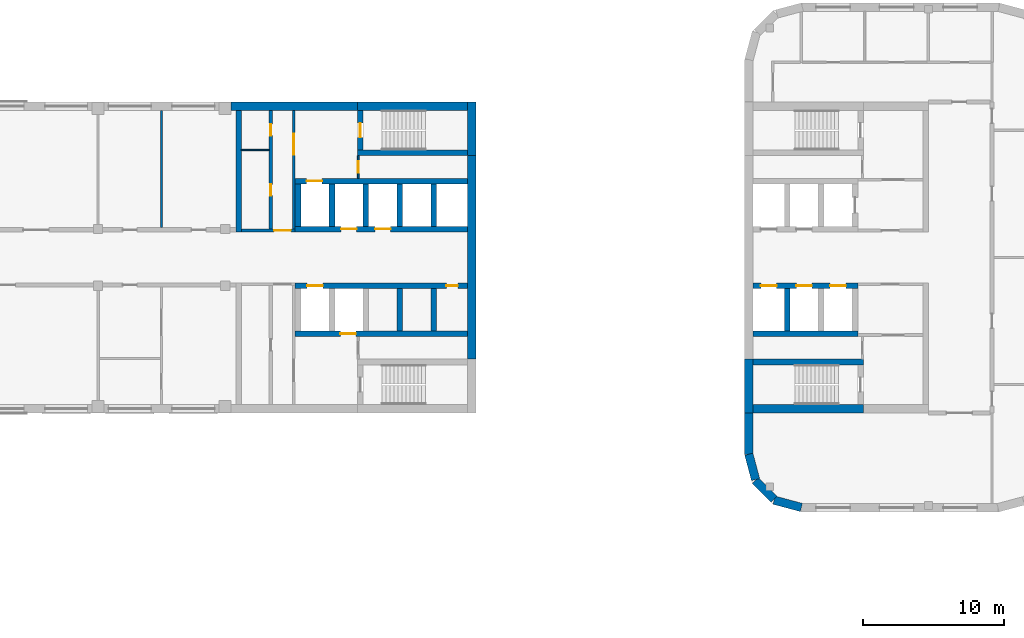
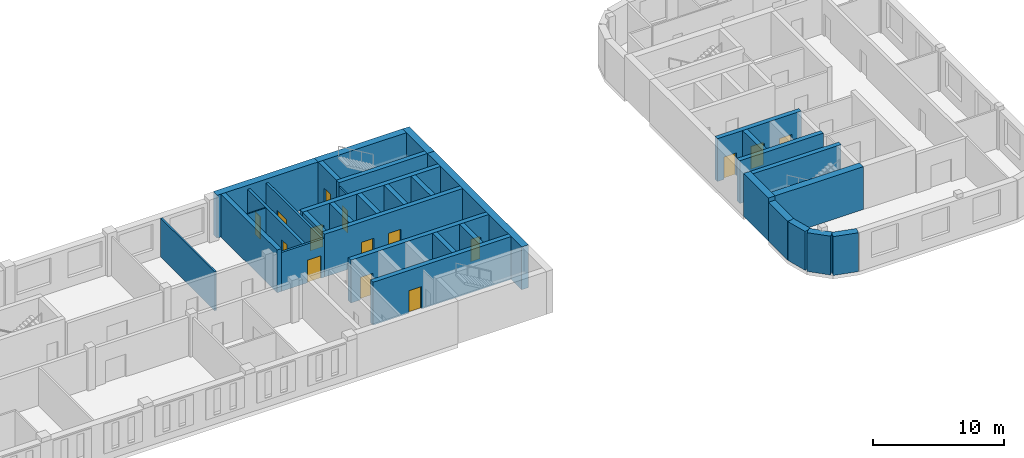
# One storey, part 6 of 10: 34 walls, 15 doors, 15 openings.
"""IFC4 building model written with IfcOpenShell, lengths in metres."""

from ifc_helpers import new_model, si_unit, direction, frame, frame_2d, origin, place, context, subcontext, project, spatial, rectangle, extrude, material, layer, layer_set, type_object, element, fill, save


model = new_model("IFC4")

# Units and contexts
model_context = context("Model", 3, precision=1e-05, world=origin(), true_north=direction((0.0, 1.0)))
body_context = subcontext(model_context, "Body", "Model", "MODEL_VIEW")
ifc_project = project(units=[si_unit("LENGTHUNIT", "METRE"), si_unit("AREAUNIT", "SQUARE_METRE"), si_unit("VOLUMEUNIT", "CUBIC_METRE"), si_unit("PLANEANGLEUNIT", "RADIAN"), si_unit("MASSUNIT", "GRAM", prefix="KILO")], contexts=[model_context])

# Site, building, storey
site_placement = place(None, origin())
site = spatial("IfcSite", under=ifc_project, at=site_placement, CompositionType="ELEMENT")
building_placement = place(site_placement, origin())
building = spatial("IfcBuilding", under=site, at=building_placement, Name="Skarvind Civic Tower", CompositionType="ELEMENT")
storey_placement = place(building_placement, frame((0.0, 0.0, 97.0)))
storey = spatial("IfcBuildingStorey", under=building, at=storey_placement, Name="L22", CompositionType="ELEMENT", Elevation=97.0)

# Wall, opening, door
ifc_material_1 = material(Name="Fire-rated masonry partition", Category="masonry")
ifc_layer_1 = layer(ifc_material_1, 0.199951171875)
ifc_layer_set_1 = layer_set([ifc_layer_1], Name="Core enclosure wall 200")
wall_type_1 = type_object("IfcWallType", Name="Core enclosure wall 200", PredefinedType="PARTITIONING", material=ifc_layer_set_1)
wall_1_placement = place(storey_placement, frame((91.39990234375, 129.89990234375, 0.0), z_axis=(0.0, 0.0, 1.0), x_axis=(1.0, 0.0, 0.0)))
wall_1 = element("IfcWall", 1, at=wall_1_placement, inside=storey, type_object=wall_type_1, Name="Core wall C1", PredefinedType="PARTITIONING", context=body_context, shape_type="SweptSolid", body=[
    extrude(rectangle(XDim=3.800048828125, YDim=0.199951171875, at=frame_2d((1.89990234375, 0.0))), origin(), (0.0, 0.0, 1.0), 3.625),
])
opening_1_placement = place(wall_1_placement, frame((2.300048828125, 0.0, 0.0)))
opening_1 = element("IfcOpeningElement", 2, at=opening_1_placement, cuts=wall_1, Name="Opening D-L22-C1-10", PredefinedType="OPENING", context=body_context, shape_type="SweptSolid", body=[
    extrude(rectangle(XDim=1.199951171875, YDim=2.10009765625, at=frame_2d((0.60009765625, 1.050048828125))), frame((0.0, 0.10986328125, 0.0), z_axis=(0.0, -1.0, 0.0), x_axis=(1.0, 0.0, 0.0)), (0.0, 0.0, 1.0), 0.219970703125),
])
ifc_material_2 = material(Name="Fire-rated steel door", Category="steel")
door_type_1 = type_object("IfcDoorType", Name="Core lobby door 1200", OperationType="NOTDEFINED", PredefinedType="DOOR", material=ifc_material_2)
door_1_placement = place(opening_1_placement, origin())
door_1 = element("IfcDoor", 3, at=door_1_placement, inside=storey, type_object=door_type_1, Name="Fire door", OperationType="DOUBLE_DOOR_SINGLE_SWING", OverallHeight=2.10009765625, OverallWidth=1.199951171875, PredefinedType="DOOR", context=body_context, shape_type="SweptSolid", body=[
    extrude(rectangle(XDim=1.199951171875, YDim=2.10009765625, at=frame_2d((0.60009765625, 1.050048828125))), frame((0.0, 0.02490234375, 0.0), z_axis=(0.0, -1.0, 0.0), x_axis=(1.0, 0.0, 0.0)), (0.0, 0.0, 1.0), 0.050048828125),
])
fill(opening_1, door_1)

wall_2_placement = place(storey_placement, frame((95.10009765625, 130.0, 0.0), z_axis=(0.0, 0.0, 1.0), x_axis=(0.0, 1.0, 0.0)))
wall_2 = element("IfcWall", 4, at=wall_2_placement, inside=storey, type_object=wall_type_1, Name="Core wall C1", PredefinedType="PARTITIONING", context=body_context, shape_type="SweptSolid", body=[
    extrude(rectangle(XDim=8.39990234375, YDim=0.199951171875, at=frame_2d((4.199951171875, 0.0))), origin(), (0.0, 0.0, 1.0), 3.625),
])
opening_2_placement = place(wall_2_placement, frame((5.25, 0.0, 0.0)))
opening_2 = element("IfcOpeningElement", 5, at=opening_2_placement, cuts=wall_2, Name="Opening D-L22-C1-11", PredefinedType="OPENING", context=body_context, shape_type="SweptSolid", body=[
    extrude(rectangle(XDim=1.5, YDim=2.10009765625, at=frame_2d((0.75, 1.050048828125))), frame((0.0, 0.10986328125, 0.0), z_axis=(0.0, -1.0, 0.0), x_axis=(1.0, 0.0, 0.0)), (0.0, 0.0, 1.0), 0.219970703125),
])
door_type_2 = type_object("IfcDoorType", Name="Fire door 1500", OperationType="NOTDEFINED", PredefinedType="DOOR", material=ifc_material_2)
door_2_placement = place(opening_2_placement, origin())
door_2 = element("IfcDoor", 6, at=door_2_placement, inside=storey, type_object=door_type_2, Name="Fire door", OperationType="DOUBLE_DOOR_SINGLE_SWING", OverallHeight=2.10009765625, OverallWidth=1.5, PredefinedType="DOOR", context=body_context, shape_type="SweptSolid", body=[
    extrude(rectangle(XDim=1.5, YDim=2.10009765625, at=frame_2d((0.75, 1.050048828125))), frame((0.0, 0.02490234375, 0.0), z_axis=(0.0, -1.0, 0.0), x_axis=(1.0, 0.0, 0.0)), (0.0, 0.0, 1.0), 0.050048828125),
])
fill(opening_2, door_2)

# Walls
ifc_material_3 = material(Name="Fire-rated plasterboard partition")
ifc_layer_2 = layer(ifc_material_3, 0.10009765625)
ifc_layer_set_2 = layer_set([ifc_layer_2], Name="Core partition wall 100")
wall_type_2 = type_object("IfcWallType", Name="Core partition wall 100", PredefinedType="PARTITIONING", material=ifc_layer_set_2)
wall_3_placement = place(storey_placement, frame((91.39990234375, 135.60009765625, 0.0), z_axis=(0.0, 0.0, 1.0), x_axis=(1.0, 0.0, 0.0)))
element("IfcWall", 7, at=wall_3_placement, inside=storey, type_object=wall_type_2, Name="Core wall C1", PredefinedType="PARTITIONING", context=body_context, shape_type="SweptSolid", body=[
    extrude(rectangle(XDim=1.9501953125, YDim=0.10009765625, at=frame_2d((0.97509765625, 0.0))), origin(), (0.0, 0.0, 1.0), 3.625),
])
ifc_material_4 = material(Name="Concrete C80", Category="concrete")
ifc_layer_3 = layer(ifc_material_4, 0.39990234375)
ifc_layer_set_3 = layer_set([ifc_layer_3], Name="Core wall 400 C80")
wall_type_3 = type_object("IfcWallType", Name="Core wall 400 C80", PredefinedType="SHEAR", material=ifc_layer_set_3)
wall_4_placement = place(storey_placement, frame((107.39990234375, 135.39990234375, 0.0), z_axis=(0.0, 0.0, 1.0), x_axis=(-1.0, 0.0, 0.0)))
element("IfcWall", 8, at=wall_4_placement, inside=storey, type_object=wall_type_3, Name="Core wall C1 south stair inner L22", PredefinedType="SHEAR", context=body_context, shape_type="SweptSolid", body=[
    extrude(rectangle(XDim=7.7998046875, YDim=0.39990234375, at=frame_2d((3.89990234375, 0.0))), origin(), (0.0, 0.0, 1.0), 4.0),
])

# Wall, opening, door
wall_5_placement = place(storey_placement, frame((99.800048828125, 138.39990234375, 0.0), z_axis=(0.0, 0.0, 1.0), x_axis=(0.0, -1.0, 0.0)))
wall_5 = element("IfcWall", 9, at=wall_5_placement, inside=storey, type_object=wall_type_3, Name="Core wall C1 south stair end L22", PredefinedType="SHEAR", context=body_context, shape_type="SweptSolid", body=[
    extrude(rectangle(XDim=2.7998046875, YDim=0.39990234375, at=frame_2d((1.39990234375, 0.0))), origin(), (0.0, 0.0, 1.0), 4.0),
])
opening_3_placement = place(wall_5_placement, frame((0.89990234375, 0.0, 0.0)))
opening_3 = element("IfcOpeningElement", 10, at=opening_3_placement, cuts=wall_5, Name="Opening D-L22-C1-12", PredefinedType="OPENING", context=body_context, shape_type="SweptSolid", body=[
    extrude(rectangle(XDim=1.0, YDim=2.10009765625, at=frame_2d((0.5, 1.050048828125))), frame((0.0, 0.2099609375, 0.0), z_axis=(0.0, -1.0, 0.0), x_axis=(1.0, 0.0, 0.0)), (0.0, 0.0, 1.0), 0.419921875),
])
door_type_3 = type_object("IfcDoorType", Name="Fire door 1000", OperationType="NOTDEFINED", PredefinedType="DOOR", material=ifc_material_2)
door_3_placement = place(opening_3_placement, origin())
door_3 = element("IfcDoor", 11, at=door_3_placement, inside=storey, type_object=door_type_3, Name="Fire door", OperationType="SINGLE_SWING_RIGHT", OverallHeight=2.10009765625, OverallWidth=1.0, PredefinedType="DOOR", context=body_context, shape_type="SweptSolid", body=[
    extrude(rectangle(XDim=1.0, YDim=2.10009765625, at=frame_2d((0.5, 1.050048828125))), frame((0.0, 0.02490234375, 0.0), z_axis=(0.0, -1.0, 0.0), x_axis=(1.0, 0.0, 0.0)), (0.0, 0.0, 1.0), 0.050048828125),
])
fill(opening_3, door_3)

# Wall, openings, doors
wall_6_placement = place(storey_placement, frame((107.39990234375, 130.0, 0.0), z_axis=(0.0, 0.0, 1.0), x_axis=(-1.0, 0.0, 0.0)))
wall_6 = element("IfcWall", 12, at=wall_6_placement, inside=storey, type_object=wall_type_3, Name="Core wall C1 south lift row front L22", PredefinedType="SHEAR", context=body_context, shape_type="SweptSolid", body=[
    extrude(rectangle(XDim=12.199951171875, YDim=0.39990234375, at=frame_2d((6.10009765625, 0.0))), origin(), (0.0, 0.0, 1.0), 4.0),
])
opening_4_placement = place(wall_6_placement, frame((5.449951171875, 0.0, 0.0)))
opening_4 = element("IfcOpeningElement", 13, at=opening_4_placement, cuts=wall_6, Name="Opening LD24108", PredefinedType="OPENING", context=body_context, shape_type="SweptSolid", body=[
    extrude(rectangle(XDim=1.10009765625, YDim=2.10009765625, at=frame_2d((0.550048828125, 1.050048828125))), frame((0.0, 0.2099609375, 0.0), z_axis=(0.0, -1.0, 0.0), x_axis=(1.0, 0.0, 0.0)), (0.0, 0.0, 1.0), 0.419921875),
])
opening_5_placement = place(wall_6_placement, frame((7.85009765625, 0.0, 0.0)))
opening_5 = element("IfcOpeningElement", 14, at=opening_5_placement, cuts=wall_6, Name="Opening LD24109", PredefinedType="OPENING", context=body_context, shape_type="SweptSolid", body=[
    extrude(rectangle(XDim=1.10009765625, YDim=2.10009765625, at=frame_2d((0.550048828125, 1.050048828125))), frame((0.0, 0.2099609375, 0.0), z_axis=(0.0, -1.0, 0.0), x_axis=(1.0, 0.0, 0.0)), (0.0, 0.0, 1.0), 0.419921875),
])
ifc_material_5 = material(Name="Stainless steel landing door", Category="steel")
door_type_4 = type_object("IfcDoorType", Name="Lift landing door 1100", OperationType="DOUBLE_DOOR_SLIDING", PredefinedType="DOOR", material=ifc_material_5)
door_4_placement = place(opening_4_placement, origin())
door_4 = element("IfcDoor", 15, at=door_4_placement, inside=storey, type_object=door_type_4, Name="Lift landing door", OperationType="DOUBLE_DOOR_SLIDING", OverallHeight=2.10009765625, OverallWidth=1.10009765625, PredefinedType="DOOR", context=body_context, shape_type="SweptSolid", body=[
    extrude(rectangle(XDim=1.10009765625, YDim=2.10009765625, at=frame_2d((0.550048828125, 1.050048828125))), frame((0.0, 0.02490234375, 0.0), z_axis=(0.0, -1.0, 0.0), x_axis=(1.0, 0.0, 0.0)), (0.0, 0.0, 1.0), 0.050048828125),
])
fill(opening_4, door_4)
door_5_placement = place(opening_5_placement, origin())
door_5 = element("IfcDoor", 16, at=door_5_placement, inside=storey, type_object=door_type_4, Name="Lift landing door", OperationType="DOUBLE_DOOR_SLIDING", OverallHeight=2.10009765625, OverallWidth=1.10009765625, PredefinedType="DOOR", context=body_context, shape_type="SweptSolid", body=[
    extrude(rectangle(XDim=1.10009765625, YDim=2.10009765625, at=frame_2d((0.550048828125, 1.050048828125))), frame((0.0, 0.02490234375, 0.0), z_axis=(0.0, -1.0, 0.0), x_axis=(1.0, 0.0, 0.0)), (0.0, 0.0, 1.0), 0.050048828125),
])
fill(opening_5, door_5)

# Wall, opening, door
wall_7_placement = place(storey_placement, frame((107.39990234375, 133.39990234375, 0.0), z_axis=(0.0, 0.0, 1.0), x_axis=(-1.0, 0.0, 0.0)))
wall_7 = element("IfcWall", 17, at=wall_7_placement, inside=storey, type_object=wall_type_3, Name="Core wall C1 south lift row back L22", PredefinedType="SHEAR", context=body_context, shape_type="SweptSolid", body=[
    extrude(rectangle(XDim=12.199951171875, YDim=0.39990234375, at=frame_2d((6.10009765625, 0.0))), origin(), (0.0, 0.0, 1.0), 4.0),
])
opening_6_placement = place(wall_7_placement, frame((10.300048828125, 0.0, 0.0)))
opening_6 = element("IfcOpeningElement", 18, at=opening_6_placement, cuts=wall_7, Name="Opening LD24110", PredefinedType="OPENING", context=body_context, shape_type="SweptSolid", body=[
    extrude(rectangle(XDim=1.10009765625, YDim=2.10009765625, at=frame_2d((0.550048828125, 1.050048828125))), frame((0.0, 0.2099609375, 0.0), z_axis=(0.0, -1.0, 0.0), x_axis=(1.0, 0.0, 0.0)), (0.0, 0.0, 1.0), 0.419921875),
])
door_6_placement = place(opening_6_placement, origin())
door_6 = element("IfcDoor", 19, at=door_6_placement, inside=storey, type_object=door_type_4, Name="Lift landing door", OperationType="DOUBLE_DOOR_SLIDING", OverallHeight=2.10009765625, OverallWidth=1.10009765625, PredefinedType="DOOR", context=body_context, shape_type="SweptSolid", body=[
    extrude(rectangle(XDim=1.10009765625, YDim=2.10009765625, at=frame_2d((0.550048828125, 1.050048828125))), frame((0.0, 0.02490234375, 0.0), z_axis=(0.0, -1.0, 0.0), x_axis=(1.0, 0.0, 0.0)), (0.0, 0.0, 1.0), 0.050048828125),
])
fill(opening_6, door_6)

# Walls
for number, where, z_axis, x_axis, name in (
    (20, (105.0, 133.199951171875, 0.0), (0.0, 0.0, 1.0), (0.0, -1.0, 0.0), "Core wall C1 south lift row division 1 L22"),
    (21, (102.60009765625, 133.199951171875, 0.0), (0.0, 0.0, 1.0), (0.0, -1.0, 0.0), "Core wall C1 south lift row division 2 L22"),
    (22, (100.199951171875, 133.199951171875, 0.0), (0.0, 0.0, 1.0), (0.0, -1.0, 0.0), "Core wall C1 south lift row division 3 L22"),
    (23, (97.800048828125, 133.199951171875, 0.0), (0.0, 0.0, 1.0), (0.0, -1.0, 0.0), "Core wall C1 south lift row division 4 L22"),
    (24, (95.39990234375, 133.199951171875, 0.0), (0.0, 0.0, 1.0), (0.0, -1.0, 0.0), "Core wall C1 south lift row division 5 L22"),
):
    element("IfcWall", number, at=place(storey_placement, frame(where, z_axis=z_axis, x_axis=x_axis)), inside=storey, type_object=wall_type_3, Name=name, PredefinedType="SHEAR", context=body_context, shape_type="SweptSolid", body=[
        extrude(rectangle(XDim=3.0, YDim=0.39990234375, at=frame_2d((1.5, 0.0))), origin(), (0.0, 0.0, 1.0), 4.0),
    ])

# Wall, openings, doors
wall_8_placement = place(storey_placement, frame((107.39990234375, 126.0, 0.0), z_axis=(0.0, 0.0, 1.0), x_axis=(-1.0, 0.0, 0.0)))
wall_8 = element("IfcWall", 25, at=wall_8_placement, inside=storey, type_object=wall_type_3, Name="Core wall C1 north lift row front L22", PredefinedType="SHEAR", context=body_context, shape_type="SweptSolid", body=[
    extrude(rectangle(XDim=12.199951171875, YDim=0.39990234375, at=frame_2d((6.10009765625, 0.0))), origin(), (0.0, 0.0, 1.0), 4.0),
])
opening_7_placement = place(wall_8_placement, frame((10.25, 0.0, 0.0)))
opening_7 = element("IfcOpeningElement", 26, at=opening_7_placement, cuts=wall_8, Name="Opening LD24105", PredefinedType="OPENING", context=body_context, shape_type="SweptSolid", body=[
    extrude(rectangle(XDim=1.10009765625, YDim=2.10009765625, at=frame_2d((0.550048828125, 1.050048828125))), frame((0.0, 0.2099609375, 0.0), z_axis=(0.0, -1.0, 0.0), x_axis=(1.0, 0.0, 0.0)), (0.0, 0.0, 1.0), 0.419921875),
])
opening_8_placement = place(wall_8_placement, frame((0.699951171875, 0.0, 0.0)))
opening_8 = element("IfcOpeningElement", 27, at=opening_8_placement, cuts=wall_8, Name="Opening D-L22-C1-04", PredefinedType="OPENING", context=body_context, shape_type="SweptSolid", body=[
    extrude(rectangle(XDim=0.800048828125, YDim=2.10009765625, at=frame_2d((0.39990234375, 1.050048828125))), frame((0.0, 0.2099609375, 0.0), z_axis=(0.0, -1.0, 0.0), x_axis=(1.0, 0.0, 0.0)), (0.0, 0.0, 1.0), 0.419921875),
])
door_type_5 = type_object("IfcDoorType", Name="Core riser door 800", OperationType="NOTDEFINED", PredefinedType="DOOR", material=ifc_material_2)
door_7_placement = place(opening_8_placement, origin())
door_7 = element("IfcDoor", 28, at=door_7_placement, inside=storey, type_object=door_type_5, Name="Riser door", OperationType="SINGLE_SWING_LEFT", OverallHeight=2.10009765625, OverallWidth=0.800048828125, PredefinedType="DOOR", context=body_context, shape_type="SweptSolid", body=[
    extrude(rectangle(XDim=0.800048828125, YDim=2.10009765625, at=frame_2d((0.39990234375, 1.050048828125))), frame((0.0, 0.02490234375, 0.0), z_axis=(0.0, -1.0, 0.0), x_axis=(1.0, 0.0, 0.0)), (0.0, 0.0, 1.0), 0.050048828125),
])
fill(opening_8, door_7)
door_8_placement = place(opening_7_placement, origin())
door_8 = element("IfcDoor", 29, at=door_8_placement, inside=storey, type_object=door_type_4, Name="Lift landing door", OperationType="DOUBLE_DOOR_SLIDING", OverallHeight=2.10009765625, OverallWidth=1.10009765625, PredefinedType="DOOR", context=body_context, shape_type="SweptSolid", body=[
    extrude(rectangle(XDim=1.10009765625, YDim=2.10009765625, at=frame_2d((0.550048828125, 1.050048828125))), frame((0.0, 0.02490234375, 0.0), z_axis=(0.0, -1.0, 0.0), x_axis=(1.0, 0.0, 0.0)), (0.0, 0.0, 1.0), 0.050048828125),
])
fill(opening_7, door_8)

# Wall, opening, door
wall_9_placement = place(storey_placement, frame((107.39990234375, 122.60009765625, 0.0), z_axis=(0.0, 0.0, 1.0), x_axis=(-1.0, 0.0, 0.0)))
wall_9 = element("IfcWall", 30, at=wall_9_placement, inside=storey, type_object=wall_type_3, Name="Core wall C1 north lift row back L22", PredefinedType="SHEAR", context=body_context, shape_type="SweptSolid", body=[
    extrude(rectangle(XDim=12.199951171875, YDim=0.39990234375, at=frame_2d((6.10009765625, 0.0))), origin(), (0.0, 0.0, 1.0), 4.0),
])
opening_9_placement = place(wall_9_placement, frame((7.89990234375, 0.0, 0.0)))
opening_9 = element("IfcOpeningElement", 31, at=opening_9_placement, cuts=wall_9, Name="Opening LD24104", PredefinedType="OPENING", context=body_context, shape_type="SweptSolid", body=[
    extrude(rectangle(XDim=1.10009765625, YDim=2.10009765625, at=frame_2d((0.550048828125, 1.050048828125))), frame((0.0, 0.2099609375, 0.0), z_axis=(0.0, -1.0, 0.0), x_axis=(1.0, 0.0, 0.0)), (0.0, 0.0, 1.0), 0.419921875),
])
door_9_placement = place(opening_9_placement, origin())
door_9 = element("IfcDoor", 32, at=door_9_placement, inside=storey, type_object=door_type_4, Name="Lift landing door", OperationType="DOUBLE_DOOR_SLIDING", OverallHeight=2.10009765625, OverallWidth=1.10009765625, PredefinedType="DOOR", context=body_context, shape_type="SweptSolid", body=[
    extrude(rectangle(XDim=1.10009765625, YDim=2.10009765625, at=frame_2d((0.550048828125, 1.050048828125))), frame((0.0, 0.02490234375, 0.0), z_axis=(0.0, -1.0, 0.0), x_axis=(1.0, 0.0, 0.0)), (0.0, 0.0, 1.0), 0.050048828125),
])
fill(opening_9, door_9)

# Walls
for number, where, z_axis, x_axis, name in (
    (33, (105.0, 125.800048828125, 0.0), (0.0, 0.0, 1.0), (0.0, -1.0, 0.0), "Core wall C1 north lift row division 1 L22"),
    (34, (102.60009765625, 125.800048828125, 0.0), (0.0, 0.0, 1.0), (0.0, -1.0, 0.0), "Core wall C1 north lift row division 2 L22"),
):
    element("IfcWall", number, at=place(storey_placement, frame(where, z_axis=z_axis, x_axis=x_axis)), inside=storey, type_object=wall_type_3, Name=name, PredefinedType="SHEAR", context=body_context, shape_type="SweptSolid", body=[
        extrude(rectangle(XDim=3.0, YDim=0.39990234375, at=frame_2d((1.5, 0.0))), origin(), (0.0, 0.0, 1.0), 4.0),
    ])
wall_10_placement = place(storey_placement, frame((91.199951171875, 138.39990234375, 0.0), z_axis=(0.0, 0.0, 1.0), x_axis=(0.0, -1.0, 0.0)))
element("IfcWall", 35, at=wall_10_placement, inside=storey, type_object=wall_type_3, Name="Core wall C1 south inner face L22", PredefinedType="SHEAR", context=body_context, shape_type="SweptSolid", body=[
    extrude(rectangle(XDim=8.599853515625, YDim=0.39990234375, at=frame_2d((4.2998046875, 0.0))), origin(), (0.0, 0.0, 1.0), 4.0),
])
wall_11_placement = place(storey_placement, frame((127.60009765625, 120.60009765625, 0.0), z_axis=(0.0, 0.0, 1.0), x_axis=(1.0, 0.0, 0.0)))
element("IfcWall", 36, at=wall_11_placement, inside=storey, type_object=wall_type_3, Name="Core wall CA south stair inner L22", PredefinedType="SHEAR", context=body_context, shape_type="SweptSolid", body=[
    extrude(rectangle(XDim=7.7998046875, YDim=0.39990234375, at=frame_2d((3.89990234375, 0.0))), origin(), (0.0, 0.0, 1.0), 4.0),
])

# Wall, openings, doors
wall_12_placement = place(storey_placement, frame((127.60009765625, 126.0, 0.0), z_axis=(0.0, 0.0, 1.0), x_axis=(1.0, 0.0, 0.0)))
wall_12 = element("IfcWall", 37, at=wall_12_placement, inside=storey, type_object=wall_type_3, Name="Core wall CA south lift row front L22", PredefinedType="SHEAR", context=body_context, shape_type="SweptSolid", body=[
    extrude(rectangle(XDim=7.39990234375, YDim=0.39990234375, at=frame_2d((3.699951171875, 0.0))), origin(), (0.0, 0.0, 1.0), 4.0),
])
opening_10_placement = place(wall_12_placement, frame((0.550048828125, 0.0, 0.0)))
opening_10 = element("IfcOpeningElement", 38, at=opening_10_placement, cuts=wall_12, Name="Opening LD24304", PredefinedType="OPENING", context=body_context, shape_type="SweptSolid", body=[
    extrude(rectangle(XDim=1.10009765625, YDim=2.10009765625, at=frame_2d((0.550048828125, 1.050048828125))), frame((0.0, 0.2099609375, 0.0), z_axis=(0.0, -1.0, 0.0), x_axis=(1.0, 0.0, 0.0)), (0.0, 0.0, 1.0), 0.419921875),
])
opening_11_placement = place(wall_12_placement, frame((3.050048828125, 0.0, 0.0)))
opening_11 = element("IfcOpeningElement", 39, at=opening_11_placement, cuts=wall_12, Name="Opening LD24305", PredefinedType="OPENING", context=body_context, shape_type="SweptSolid", body=[
    extrude(rectangle(XDim=1.10009765625, YDim=2.10009765625, at=frame_2d((0.550048828125, 1.050048828125))), frame((0.0, 0.2099609375, 0.0), z_axis=(0.0, -1.0, 0.0), x_axis=(1.0, 0.0, 0.0)), (0.0, 0.0, 1.0), 0.419921875),
])
opening_12_placement = place(wall_12_placement, frame((5.449951171875, 0.0, 0.0)))
opening_12 = element("IfcOpeningElement", 40, at=opening_12_placement, cuts=wall_12, Name="Opening LD24306", PredefinedType="OPENING", context=body_context, shape_type="SweptSolid", body=[
    extrude(rectangle(XDim=1.10009765625, YDim=2.10009765625, at=frame_2d((0.550048828125, 1.050048828125))), frame((0.0, 0.2099609375, 0.0), z_axis=(0.0, -1.0, 0.0), x_axis=(1.0, 0.0, 0.0)), (0.0, 0.0, 1.0), 0.419921875),
])
door_10_placement = place(opening_10_placement, origin())
door_10 = element("IfcDoor", 41, at=door_10_placement, inside=storey, type_object=door_type_4, Name="Lift landing door", OperationType="DOUBLE_DOOR_SLIDING", OverallHeight=2.10009765625, OverallWidth=1.10009765625, PredefinedType="DOOR", context=body_context, shape_type="SweptSolid", body=[
    extrude(rectangle(XDim=1.10009765625, YDim=2.10009765625, at=frame_2d((0.550048828125, 1.050048828125))), frame((0.0, 0.02490234375, 0.0), z_axis=(0.0, -1.0, 0.0), x_axis=(1.0, 0.0, 0.0)), (0.0, 0.0, 1.0), 0.050048828125),
])
fill(opening_10, door_10)
door_11_placement = place(opening_11_placement, origin())
door_11 = element("IfcDoor", 42, at=door_11_placement, inside=storey, type_object=door_type_4, Name="Lift landing door", OperationType="DOUBLE_DOOR_SLIDING", OverallHeight=2.10009765625, OverallWidth=1.10009765625, PredefinedType="DOOR", context=body_context, shape_type="SweptSolid", body=[
    extrude(rectangle(XDim=1.10009765625, YDim=2.10009765625, at=frame_2d((0.550048828125, 1.050048828125))), frame((0.0, 0.02490234375, 0.0), z_axis=(0.0, -1.0, 0.0), x_axis=(1.0, 0.0, 0.0)), (0.0, 0.0, 1.0), 0.050048828125),
])
fill(opening_11, door_11)
door_12_placement = place(opening_12_placement, origin())
door_12 = element("IfcDoor", 43, at=door_12_placement, inside=storey, type_object=door_type_4, Name="Lift landing door", OperationType="DOUBLE_DOOR_SLIDING", OverallHeight=2.10009765625, OverallWidth=1.10009765625, PredefinedType="DOOR", context=body_context, shape_type="SweptSolid", body=[
    extrude(rectangle(XDim=1.10009765625, YDim=2.10009765625, at=frame_2d((0.550048828125, 1.050048828125))), frame((0.0, 0.02490234375, 0.0), z_axis=(0.0, -1.0, 0.0), x_axis=(1.0, 0.0, 0.0)), (0.0, 0.0, 1.0), 0.050048828125),
])
fill(opening_12, door_12)

# Walls
wall_13_placement = place(storey_placement, frame((127.60009765625, 122.60009765625, 0.0), z_axis=(0.0, 0.0, 1.0), x_axis=(1.0, 0.0, 0.0)))
element("IfcWall", 44, at=wall_13_placement, inside=storey, type_object=wall_type_3, Name="Core wall CA south lift row back L22", PredefinedType="SHEAR", context=body_context, shape_type="SweptSolid", body=[
    extrude(rectangle(XDim=7.39990234375, YDim=0.39990234375, at=frame_2d((3.699951171875, 0.0))), origin(), (0.0, 0.0, 1.0), 4.0),
])
wall_14_placement = place(storey_placement, frame((130.0, 122.800048828125, 0.0), z_axis=(0.0, 0.0, 1.0), x_axis=(0.0, 1.0, 0.0)))
element("IfcWall", 45, at=wall_14_placement, inside=storey, type_object=wall_type_3, Name="Core wall CA south lift row division 1 L22", PredefinedType="SHEAR", context=body_context, shape_type="SweptSolid", body=[
    extrude(rectangle(XDim=3.0, YDim=0.39990234375, at=frame_2d((1.5, 0.0))), origin(), (0.0, 0.0, 1.0), 4.0),
])
ifc_layer_4 = layer(ifc_material_4, 0.60009765625)
ifc_layer_set_4 = layer_set([ifc_layer_4], Name="Core wall 600 C80")
wall_type_4 = type_object("IfcWallType", Name="Core wall 600 C80", PredefinedType="SHEAR", material=ifc_layer_set_4)
wall_15_placement = place(storey_placement, frame((107.699951171875, 139.0, 0.0), z_axis=(0.0, 0.0, 1.0), x_axis=(0.0, -1.0, 0.0)))
element("IfcWall", 46, at=wall_15_placement, inside=storey, type_object=wall_type_4, Name="Core wall C1 tip at the south stair L22", PredefinedType="SHEAR", context=body_context, shape_type="SweptSolid", body=[
    extrude(rectangle(XDim=3.800048828125, YDim=0.60009765625, at=frame_2d((1.89990234375, 0.0))), origin(), (0.0, 0.0, 1.0), 4.0),
])
wall_16_placement = place(storey_placement, frame((107.699951171875, 135.199951171875, 0.0), z_axis=(0.0, 0.0, 1.0), x_axis=(0.0, -1.0, 0.0)))
element("IfcWall", 47, at=wall_16_placement, inside=storey, type_object=wall_type_4, Name="Core wall C1 tip between the stairs L22", PredefinedType="SHEAR", context=body_context, shape_type="SweptSolid", body=[
    extrude(rectangle(XDim=14.39990234375, YDim=0.60009765625, at=frame_2d((7.199951171875, 0.0))), origin(), (0.0, 0.0, 1.0), 4.0),
])
wall_17_placement = place(storey_placement, frame((107.39990234375, 138.699951171875, 0.0), z_axis=(0.0, 0.0, 1.0), x_axis=(-1.0, 0.0, 0.0)))
element("IfcWall", 48, at=wall_17_placement, inside=storey, type_object=wall_type_4, Name="Core wall C1 south side at the stair L22", PredefinedType="SHEAR", context=body_context, shape_type="SweptSolid", body=[
    extrude(rectangle(XDim=7.7998046875, YDim=0.60009765625, at=frame_2d((3.89990234375, 0.0))), origin(), (0.0, 0.0, 1.0), 4.0),
])
wall_18_placement = place(storey_placement, frame((99.60009765625, 138.699951171875, 0.0), z_axis=(0.0, 0.0, 1.0), x_axis=(-1.0, 0.0, 0.0)))
element("IfcWall", 49, at=wall_18_placement, inside=storey, type_object=wall_type_4, Name="Core wall C1 south side L22", PredefinedType="SHEAR", context=body_context, shape_type="SweptSolid", body=[
    extrude(rectangle(XDim=8.925048828125, YDim=0.60009765625, at=frame_2d((4.46240234375, 0.0))), origin(), (0.0, 0.0, 1.0), 4.0),
])
wall_19_placement = place(storey_placement, frame((127.300048828125, 117.0, 0.0), z_axis=(0.0, 0.0, 1.0), x_axis=(0.0, 1.0, 0.0)))
element("IfcWall", 50, at=wall_19_placement, inside=storey, type_object=wall_type_4, Name="Core wall CA tip at the south stair L22", PredefinedType="SHEAR", context=body_context, shape_type="SweptSolid", body=[
    extrude(rectangle(XDim=3.800048828125, YDim=0.60009765625, at=frame_2d((1.89990234375, 0.0))), origin(), (0.0, 0.0, 1.0), 4.0),
])
wall_20_placement = place(storey_placement, frame((127.60009765625, 117.300048828125, 0.0), z_axis=(0.0, 0.0, 1.0), x_axis=(1.0, 0.0, 0.0)))
element("IfcWall", 51, at=wall_20_placement, inside=storey, type_object=wall_type_4, Name="Core wall CA south side at the stair L22", PredefinedType="SHEAR", context=body_context, shape_type="SweptSolid", body=[
    extrude(rectangle(XDim=7.7998046875, YDim=0.60009765625, at=frame_2d((3.89990234375, 0.0))), origin(), (0.0, 0.0, 1.0), 4.0),
])
ifc_material_6 = material(Name="Plasterboard partition on steel studs", Category="steel")
ifc_layer_5 = layer(ifc_material_6, 0.14990234375)
ifc_layer_set_5 = layer_set([ifc_layer_5], Name="PARTITION 150")
wall_type_5 = type_object("IfcWallType", Name="PARTITION 150", PredefinedType="PARTITIONING", material=ifc_layer_set_5)
wall_21_placement = place(storey_placement, frame((85.75, 130.10009765625, 0.0), z_axis=(0.0, 0.0, 1.0), x_axis=(0.0, 1.0, 0.0)))
element("IfcWall", 52, at=wall_21_placement, inside=storey, type_object=wall_type_5, Name="Partition 22.034", PredefinedType="PARTITIONING", context=body_context, shape_type="SweptSolid", body=[
    extrude(rectangle(XDim=8.2998046875, YDim=0.14990234375, at=frame_2d((4.14990234375, 0.0))), origin(), (0.0, 0.0, 1.0), 3.625),
])

# Wall, opening, door
ifc_layer_6 = layer(ifc_material_1, 0.125)
ifc_layer_set_6 = layer_set([ifc_layer_6], Name="Riser wall 125")
wall_type_6 = type_object("IfcWallType", Name="Riser wall 125", PredefinedType="PARTITIONING", material=ifc_layer_set_6)
wall_22_placement = place(storey_placement, frame((99.66259765625, 133.60009765625, 0.0), z_axis=(0.0, 0.0, 1.0), x_axis=(0.0, 1.0, 0.0)))
wall_22 = element("IfcWall", 53, at=wall_22_placement, inside=storey, type_object=wall_type_6, Name="Core wall C1", PredefinedType="PARTITIONING", context=body_context, shape_type="SweptSolid", body=[
    extrude(rectangle(XDim=1.599853515625, YDim=0.125, at=frame_2d((0.7998046875, 0.0))), origin(), (0.0, 0.0, 1.0), 3.625),
])
opening_13_placement = place(wall_22_placement, frame((0.39990234375, 0.0, 0.0)))
opening_13 = element("IfcOpeningElement", 54, at=opening_13_placement, cuts=wall_22, Name="Opening D-L22-C1-13", PredefinedType="OPENING", context=body_context, shape_type="SweptSolid", body=[
    extrude(rectangle(XDim=0.800048828125, YDim=2.10009765625, at=frame_2d((0.39990234375, 1.050048828125))), frame((0.0, 0.072509765625, 0.0), z_axis=(0.0, -1.0, 0.0), x_axis=(1.0, 0.0, 0.0)), (0.0, 0.0, 1.0), 0.14501953125),
])
door_13_placement = place(opening_13_placement, origin())
door_13 = element("IfcDoor", 55, at=door_13_placement, inside=storey, type_object=door_type_5, Name="Riser door", OperationType="SINGLE_SWING_LEFT", OverallHeight=2.10009765625, OverallWidth=0.800048828125, PredefinedType="DOOR", context=body_context, shape_type="SweptSolid", body=[
    extrude(rectangle(XDim=0.800048828125, YDim=2.10009765625, at=frame_2d((0.39990234375, 1.050048828125))), frame((0.0, 0.02490234375, 0.0), z_axis=(0.0, -1.0, 0.0), x_axis=(1.0, 0.0, 0.0)), (0.0, 0.0, 1.0), 0.050048828125),
])
fill(opening_13, door_13)

# Wall, openings, doors
ifc_layer_7 = layer(ifc_material_1, 0.25)
ifc_layer_set_7 = layer_set([ifc_layer_7], Name="Service block wall 250")
wall_type_7 = type_object("IfcWallType", Name="Service block wall 250", PredefinedType="PARTITIONING", material=ifc_layer_set_7)
wall_23_placement = place(storey_placement, frame((93.47509765625, 130.0, 0.0), z_axis=(0.0, 0.0, 1.0), x_axis=(0.0, 1.0, 0.0)))
wall_23 = element("IfcWall", 56, at=wall_23_placement, inside=storey, type_object=wall_type_7, Name="Core wall C1", PredefinedType="PARTITIONING", context=body_context, shape_type="SweptSolid", body=[
    extrude(rectangle(XDim=8.39990234375, YDim=0.25, at=frame_2d((4.199951171875, 0.0))), origin(), (0.0, 0.0, 1.0), 3.625),
])
opening_14_placement = place(wall_23_placement, frame((2.375, 0.0, 0.0)))
opening_14 = element("IfcOpeningElement", 57, at=opening_14_placement, cuts=wall_23, Name="Opening D-L22-C1-14", PredefinedType="OPENING", context=body_context, shape_type="SweptSolid", body=[
    extrude(rectangle(XDim=0.800048828125, YDim=2.10009765625, at=frame_2d((0.39990234375, 1.050048828125))), frame((0.0, 0.135009765625, 0.0), z_axis=(0.0, -1.0, 0.0), x_axis=(1.0, 0.0, 0.0)), (0.0, 0.0, 1.0), 0.27001953125),
])
opening_15_placement = place(wall_23_placement, frame((6.625, 0.0, 0.0)))
opening_15 = element("IfcOpeningElement", 58, at=opening_15_placement, cuts=wall_23, Name="Opening D-L22-C1-15", PredefinedType="OPENING", context=body_context, shape_type="SweptSolid", body=[
    extrude(rectangle(XDim=0.800048828125, YDim=2.10009765625, at=frame_2d((0.39990234375, 1.050048828125))), frame((0.0, 0.135009765625, 0.0), z_axis=(0.0, -1.0, 0.0), x_axis=(1.0, 0.0, 0.0)), (0.0, 0.0, 1.0), 0.27001953125),
])
door_14_placement = place(opening_14_placement, origin())
door_14 = element("IfcDoor", 59, at=door_14_placement, inside=storey, type_object=door_type_5, Name="Riser door", OperationType="SINGLE_SWING_RIGHT", OverallHeight=2.10009765625, OverallWidth=0.800048828125, PredefinedType="DOOR", context=body_context, shape_type="SweptSolid", body=[
    extrude(rectangle(XDim=0.800048828125, YDim=2.10009765625, at=frame_2d((0.39990234375, 1.050048828125))), frame((0.0, 0.02490234375, 0.0), z_axis=(0.0, -1.0, 0.0), x_axis=(1.0, 0.0, 0.0)), (0.0, 0.0, 1.0), 0.050048828125),
])
fill(opening_14, door_14)
door_15_placement = place(opening_15_placement, origin())
door_15 = element("IfcDoor", 60, at=door_15_placement, inside=storey, type_object=door_type_5, Name="Riser door", OperationType="SINGLE_SWING_LEFT", OverallHeight=2.10009765625, OverallWidth=0.800048828125, PredefinedType="DOOR", context=body_context, shape_type="SweptSolid", body=[
    extrude(rectangle(XDim=0.800048828125, YDim=2.10009765625, at=frame_2d((0.39990234375, 1.050048828125))), frame((0.0, 0.02490234375, 0.0), z_axis=(0.0, -1.0, 0.0), x_axis=(1.0, 0.0, 0.0)), (0.0, 0.0, 1.0), 0.050048828125),
])
fill(opening_15, door_15)

# Walls
ifc_material_7 = material(Name="Limestone masonry cladding on insulated backing", Category="masonry")
ifc_layer_8 = layer(ifc_material_7, 0.60009765625)
ifc_layer_set_8 = layer_set([ifc_layer_8], Name="WX1 STONE FACADE WALL 600")
wall_type_8 = type_object("IfcWallType", Name="WX1 STONE FACADE WALL 600", PredefinedType="SOLIDWALL", material=ifc_layer_set_8)
wall_24_placement = place(storey_placement, frame((127.300048828125, 114.070068359375, 0.0), z_axis=(0.0, 0.0, 1.0), x_axis=(0.0, 1.0, 0.0)))
element("IfcWall", 61, at=wall_24_placement, inside=storey, type_object=wall_type_8, Name="STONE FACADE WALL", PredefinedType="SOLIDWALL", context=body_context, shape_type="SweptSolid", body=[
    extrude(rectangle(XDim=2.909912109375, YDim=0.60009765625, at=frame_2d((1.455078125, 0.0))), origin(), (0.0, 0.0, 1.0), 3.625),
])
for number, where, z_axis, x_axis, name in (
    (62, (127.771240234375, 112.280517578125, 0.0), (0.0, 0.0, 1.0), (-0.258773254036, 0.965938094805, 0.0), "STONE FACADE WALL"),
    (63, (129.063720703125, 110.896484375, 0.0), (0.0, 0.0, 1.0), (-0.707106781187, 0.707106781187, 0.0), "STONE FACADE WALL"),
):
    element("IfcWall", number, at=place(storey_placement, frame(where, z_axis=z_axis, x_axis=x_axis)), inside=storey, type_object=wall_type_8, Name=name, PredefinedType="SOLIDWALL", context=body_context, shape_type="SweptSolid", body=[
        extrude(rectangle(XDim=1.860595703125, YDim=0.60009765625, at=frame_2d((0.93017578125, 0.0))), origin(), (0.0, 0.0, 1.0), 3.625),
    ])
wall_25_placement = place(storey_placement, frame((131.010009765625, 110.307861328125, 0.0), z_axis=(0.0, 0.0, 1.0), x_axis=(-0.965920269068, 0.258839784042, 0.0)))
element("IfcWall", 64, at=wall_25_placement, inside=storey, type_object=wall_type_8, Name="STONE FACADE WALL", PredefinedType="SOLIDWALL", context=body_context, shape_type="SweptSolid", body=[
    extrude(rectangle(XDim=2.00048828125, YDim=0.60009765625, at=frame_2d((1.000244140625, 0.0))), origin(), (0.0, 0.0, 1.0), 3.625),
])

save(model, "model.ifc")
